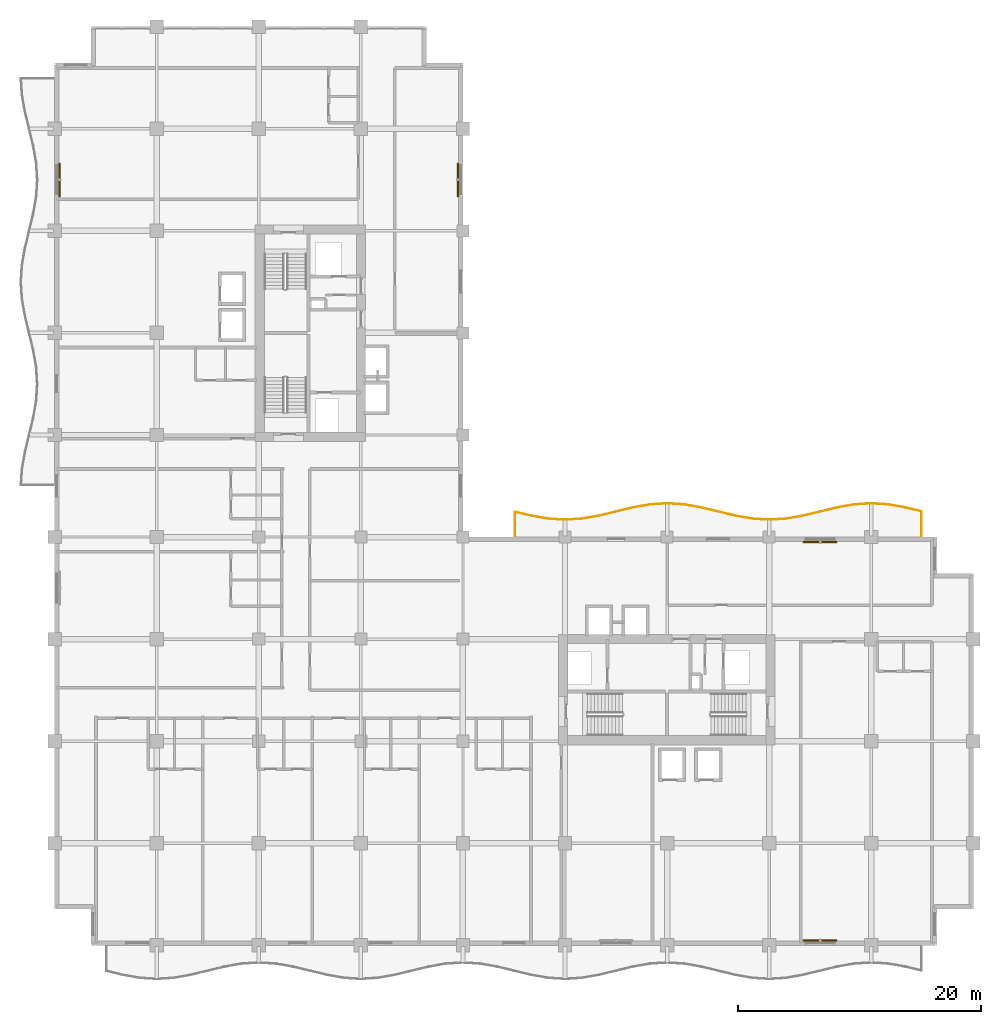
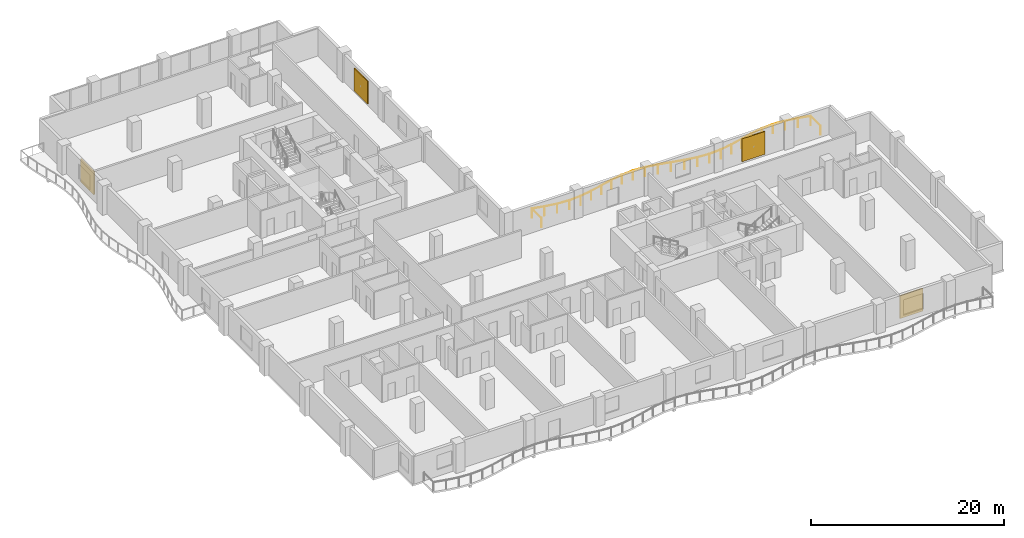
# One storey, part 20 of 20: 4 shading devices, 1 railing.
"""IFC4 building model written with IfcOpenShell, lengths in metres."""

from ifc_helpers import new_model, si_unit, direction, frame, origin, origin_2d, place, context, subcontext, project, spatial, rectangle, circle, extrude, material, layer, layer_set, type_object, element, save


model = new_model("IFC4")

# Units and contexts
model_context = context("Model", 3, precision=1e-05, world=origin(), true_north=direction((0.0, 1.0)))
body_context = subcontext(model_context, "Body", "Model", "MODEL_VIEW")
ifc_project = project(units=[si_unit("LENGTHUNIT", "METRE"), si_unit("AREAUNIT", "SQUARE_METRE"), si_unit("VOLUMEUNIT", "CUBIC_METRE"), si_unit("PLANEANGLEUNIT", "RADIAN"), si_unit("MASSUNIT", "GRAM", prefix="KILO")], contexts=[model_context])

# Site, building, storey
site_placement = place(None, origin())
site = spatial("IfcSite", under=ifc_project, at=site_placement, CompositionType="ELEMENT")
building_placement = place(site_placement, origin())
building = spatial("IfcBuilding", under=site, at=building_placement, Name="Koriwani Terraces Tower", CompositionType="ELEMENT")
storey_placement = place(building_placement, frame((0.0, 0.0, 175.39990234375)))
storey = spatial("IfcBuildingStorey", under=building, at=storey_placement, Name="L42", CompositionType="ELEMENT", Elevation=175.39990234375)

# Railing
ifc_material_1 = material(Name="Steel ASTM A572 Grade 50", Category="steel")
railing_type = type_object("IfcRailingType", Name="GUARD_BALUSTRADE_1150", PredefinedType="BALUSTRADE", material=ifc_material_1)
railing_placement = place(storey_placement, frame((71.320068359375, 33.679931640625, 0.0)))
element("IfcRailing", 1, at=railing_placement, inside=storey, type_object=railing_type, Name="L42 Balcony Perimeter Safety Balustrade (NE)", PredefinedType="BALUSTRADE", context=body_context, shape_type="SweptSolid", body=[
    extrude(circle(Radius=0.02392578125, at=origin_2d()), frame((0.0, 0.0, 1.1259765625), z_axis=(0.0, 1.0, 0.0), x_axis=(-1.0, 0.0, 0.0)), (0.0, 0.0, 1.0), 2.031982421875),
    extrude(circle(Radius=0.02392578125, at=origin_2d()), frame((0.0, 2.031982421875, 1.1259765625), z_axis=(-0.972135261578, 0.234420633044, 0.0), x_axis=(-0.234420633044, -0.972135261578, 0.0)), (0.0, 0.0, 1.0), 1.374755859375),
    extrude(circle(Radius=0.02392578125, at=origin_2d()), frame((-1.33642578125, 2.354248046875, 1.1259765625), z_axis=(-0.984787032938, 0.173765646078, 0.0), x_axis=(-0.173765646078, -0.984787032938, 0.0)), (0.0, 0.0, 1.0), 1.414794921875),
    extrude(circle(Radius=0.02392578125, at=origin_2d()), frame((-2.729736328125, 2.60009765625, 1.1259765625), z_axis=(-0.997918766852, 0.064483600738, 0.0), x_axis=(-0.064483600738, -0.997918766852, 0.0)), (0.0, 0.0, 1.0), 1.393310546875),
    extrude(circle(Radius=0.02392578125, at=origin_2d()), frame((-4.1201171875, 2.68994140625, 1.1259765625), z_axis=(-0.997918766852, -0.064483600738, 0.0), x_axis=(0.064483600738, -0.997918766852, 0.0)), (0.0, 0.0, 1.0), 1.393310546875),
    extrude(circle(Radius=0.02392578125, at=origin_2d()), frame((-5.510498046875, 2.60009765625, 1.1259765625), z_axis=(-0.984787032938, -0.173765646078, 0.0), x_axis=(0.173765646078, -0.984787032938, 0.0)), (0.0, 0.0, 1.0), 1.414794921875),
    extrude(circle(Radius=0.02392578125, at=origin_2d()), frame((-6.90380859375, 2.354248046875, 1.1259765625), z_axis=(-0.972147505112, -0.234369853661, 0.0), x_axis=(0.234369853661, -0.972147505112, 0.0)), (0.0, 0.0, 1.0), 2.88037109375),
    extrude(circle(Radius=0.02392578125, at=origin_2d()), frame((-9.703857421875, 1.67919921875, 1.1259765625), z_axis=(-0.984807637937, -0.173648830292, 0.0), x_axis=(0.173648830292, -0.984807637937, 0.0)), (0.0, 0.0, 1.0), 1.428466796875),
    extrude(circle(Radius=0.02392578125, at=origin_2d()), frame((-11.110595703125, 1.43115234375, 1.1259765625), z_axis=(-0.997930321615, -0.064304534842, 0.0), x_axis=(0.064304534842, -0.997930321615, 0.0)), (0.0, 0.0, 1.0), 1.412353515625),
    extrude(circle(Radius=0.02392578125, at=origin_2d()), frame((-12.52001953125, 1.34033203125, 1.1259765625), z_axis=(-0.997931036226, 0.064293443969, 0.0), x_axis=(-0.064293443969, -0.997931036226, 0.0)), (0.0, 0.0, 1.0), 1.41259765625),
    extrude(circle(Radius=0.02392578125, at=origin_2d()), frame((-13.9296875, 1.43115234375, 1.1259765625), z_axis=(-0.984807637937, 0.173648830292, 0.0), x_axis=(-0.173648830292, -0.984807637937, 0.0)), (0.0, 0.0, 1.0), 1.428466796875),
    extrude(circle(Radius=0.02392578125, at=origin_2d()), frame((-15.33642578125, 1.67919921875, 1.1259765625), z_axis=(-0.972147505112, 0.234369853661, 0.0), x_axis=(-0.234369853661, -0.972147505112, 0.0)), (0.0, 0.0, 1.0), 2.88037109375),
    extrude(circle(Radius=0.02392578125, at=origin_2d()), frame((-18.136474609375, 2.354248046875, 1.1259765625), z_axis=(-0.984787032938, 0.173765646078, 0.0), x_axis=(-0.173765646078, -0.984787032938, 0.0)), (0.0, 0.0, 1.0), 1.414794921875),
    extrude(circle(Radius=0.02392578125, at=origin_2d()), frame((-19.52978515625, 2.60009765625, 1.1259765625), z_axis=(-0.997918766852, 0.064483600738, 0.0), x_axis=(-0.064483600738, -0.997918766852, 0.0)), (0.0, 0.0, 1.0), 1.393310546875),
    extrude(circle(Radius=0.02392578125, at=origin_2d()), frame((-20.920166015625, 2.68994140625, 1.1259765625), z_axis=(-0.997918766852, -0.064483600738, 0.0), x_axis=(0.064483600738, -0.997918766852, 0.0)), (0.0, 0.0, 1.0), 1.393310546875),
    extrude(circle(Radius=0.02392578125, at=origin_2d()), frame((-22.310546875, 2.60009765625, 1.1259765625), z_axis=(-0.984787032938, -0.173765646078, 0.0), x_axis=(0.173765646078, -0.984787032938, 0.0)), (0.0, 0.0, 1.0), 1.414794921875),
    extrude(circle(Radius=0.02392578125, at=origin_2d()), frame((-23.703857421875, 2.354248046875, 1.1259765625), z_axis=(-0.972142848567, -0.234389167796, 0.0), x_axis=(0.234389167796, -0.972142848567, 0.0)), (0.0, 0.0, 1.0), 2.880126953125),
    extrude(circle(Radius=0.02392578125, at=origin_2d()), frame((-26.503662109375, 1.67919921875, 1.1259765625), z_axis=(-0.984812790368, -0.173619606978, 0.0), x_axis=(0.173619606978, -0.984812790368, 0.0)), (0.0, 0.0, 1.0), 1.4287109375),
    extrude(circle(Radius=0.02392578125, at=origin_2d()), frame((-27.91064453125, 1.43115234375, 1.1259765625), z_axis=(-0.997930321615, -0.064304534842, 0.0), x_axis=(0.064304534842, -0.997930321615, 0.0)), (0.0, 0.0, 1.0), 1.412353515625),
    extrude(circle(Radius=0.02392578125, at=origin_2d()), frame((-29.320068359375, 1.34033203125, 1.1259765625), z_axis=(-0.997930321615, 0.064304534842, 0.0), x_axis=(-0.064304534842, -0.997930321615, 0.0)), (0.0, 0.0, 1.0), 1.412353515625),
    extrude(circle(Radius=0.02392578125, at=origin_2d()), frame((-30.7294921875, 1.43115234375, 1.1259765625), z_axis=(-0.984812790368, 0.173619606978, 0.0), x_axis=(-0.173619606978, -0.984812790368, 0.0)), (0.0, 0.0, 1.0), 1.4287109375),
    extrude(circle(Radius=0.02392578125, at=origin_2d()), frame((-32.136474609375, 1.67919921875, 1.1259765625), z_axis=(-0.972163766848, 0.234302390999, 0.0), x_axis=(-0.234302390999, -0.972163766848, 0.0)), (0.0, 0.0, 1.0), 1.341064453125),
    extrude(circle(Radius=0.02392578125, at=origin_2d()), frame((-33.440185546875, 1.993408203125, 1.1259765625), z_axis=(0.0, -1.0, 0.0), x_axis=(1.0, 0.0, 0.0)), (0.0, 0.0, 1.0), 1.993408203125),
    extrude(circle(Radius=0.02099609375, at=origin_2d()), origin(), (0.0, 0.0, 1.0), 1.101806640625),
    extrude(circle(Radius=0.02099609375, at=origin_2d()), frame((0.0, 2.031982421875, 0.0)), (0.0, 0.0, 1.0), 1.101806640625),
    extrude(circle(Radius=0.02099609375, at=origin_2d()), frame((-1.33642578125, 2.354248046875, 0.0)), (0.0, 0.0, 1.0), 1.101806640625),
    extrude(circle(Radius=0.02099609375, at=origin_2d()), frame((-2.729736328125, 2.60009765625, 0.0)), (0.0, 0.0, 1.0), 1.101806640625),
    extrude(circle(Radius=0.02099609375, at=origin_2d()), frame((-4.1201171875, 2.68994140625, 0.0)), (0.0, 0.0, 1.0), 1.101806640625),
    extrude(circle(Radius=0.02099609375, at=origin_2d()), frame((-5.510498046875, 2.60009765625, 0.0)), (0.0, 0.0, 1.0), 1.101806640625),
    extrude(circle(Radius=0.02099609375, at=origin_2d()), frame((-6.90380859375, 2.354248046875, 0.0)), (0.0, 0.0, 1.0), 1.101806640625),
    extrude(circle(Radius=0.02099609375, at=origin_2d()), frame((-8.3037109375, 2.0166015625, 0.0)), (0.0, 0.0, 1.0), 1.101806640625),
    extrude(circle(Radius=0.02099609375, at=origin_2d()), frame((-9.703857421875, 1.67919921875, 0.0)), (0.0, 0.0, 1.0), 1.101806640625),
    extrude(circle(Radius=0.02099609375, at=origin_2d()), frame((-11.110595703125, 1.43115234375, 0.0)), (0.0, 0.0, 1.0), 1.101806640625),
    extrude(circle(Radius=0.02099609375, at=origin_2d()), frame((-12.52001953125, 1.34033203125, 0.0)), (0.0, 0.0, 1.0), 1.101806640625),
    extrude(circle(Radius=0.02099609375, at=origin_2d()), frame((-13.9296875, 1.43115234375, 0.0)), (0.0, 0.0, 1.0), 1.101806640625),
    extrude(circle(Radius=0.02099609375, at=origin_2d()), frame((-15.33642578125, 1.67919921875, 0.0)), (0.0, 0.0, 1.0), 1.101806640625),
    extrude(circle(Radius=0.02099609375, at=origin_2d()), frame((-16.736328125, 2.0166015625, 0.0)), (0.0, 0.0, 1.0), 1.101806640625),
    extrude(circle(Radius=0.02099609375, at=origin_2d()), frame((-18.136474609375, 2.354248046875, 0.0)), (0.0, 0.0, 1.0), 1.101806640625),
    extrude(circle(Radius=0.02099609375, at=origin_2d()), frame((-19.52978515625, 2.60009765625, 0.0)), (0.0, 0.0, 1.0), 1.101806640625),
    extrude(circle(Radius=0.02099609375, at=origin_2d()), frame((-20.920166015625, 2.68994140625, 0.0)), (0.0, 0.0, 1.0), 1.101806640625),
    extrude(circle(Radius=0.02099609375, at=origin_2d()), frame((-22.310546875, 2.60009765625, 0.0)), (0.0, 0.0, 1.0), 1.101806640625),
    extrude(circle(Radius=0.02099609375, at=origin_2d()), frame((-23.703857421875, 2.354248046875, 0.0)), (0.0, 0.0, 1.0), 1.101806640625),
    extrude(circle(Radius=0.02099609375, at=origin_2d()), frame((-25.103759765625, 2.0166015625, 0.0)), (0.0, 0.0, 1.0), 1.101806640625),
    extrude(circle(Radius=0.02099609375, at=origin_2d()), frame((-26.503662109375, 1.67919921875, 0.0)), (0.0, 0.0, 1.0), 1.101806640625),
    extrude(circle(Radius=0.02099609375, at=origin_2d()), frame((-27.91064453125, 1.43115234375, 0.0)), (0.0, 0.0, 1.0), 1.101806640625),
    extrude(circle(Radius=0.02099609375, at=origin_2d()), frame((-29.320068359375, 1.34033203125, 0.0)), (0.0, 0.0, 1.0), 1.101806640625),
    extrude(circle(Radius=0.02099609375, at=origin_2d()), frame((-30.7294921875, 1.43115234375, 0.0)), (0.0, 0.0, 1.0), 1.101806640625),
    extrude(circle(Radius=0.02099609375, at=origin_2d()), frame((-32.136474609375, 1.67919921875, 0.0)), (0.0, 0.0, 1.0), 1.101806640625),
    extrude(circle(Radius=0.02099609375, at=origin_2d()), frame((-33.440185546875, 1.993408203125, 0.0)), (0.0, 0.0, 1.0), 1.101806640625),
    extrude(circle(Radius=0.02099609375, at=origin_2d()), frame((-33.440185546875, 0.0, 0.0)), (0.0, 0.0, 1.0), 1.101806640625),
])

# Shading devices
ifc_material_2 = material(Name="Extruded Terracotta Clay", Category="masonry")
ifc_layer = layer(ifc_material_2, 0.1201171875, Name="Extruded Terracotta Clay")
ifc_layer_set = layer_set([ifc_layer], Name="Extruded Terracotta Clay")
shading_device_type = type_object("IfcShadingDeviceType", Name="TERRACOTTA_BAGUETTE_SCREEN_2800", PredefinedType="USERDEFINED", material=ifc_layer_set)
for number, where, z_axis, x_axis, name in (
    (2, (0.405029296875, 63.0, 0.28515625), (0.0, 0.0, 1.0), (0.0, 1.0, 0.0), "L42 Extruded Terracotta Baguette Screen (W-21)"),
    (3, (33.195068359375, 63.0, 0.28515625), (0.0, 0.0, 1.0), (0.0, -1.0, 0.0), "L42 Extruded Terracotta Baguette Screen (NW_IN-11)"),
    (4, (63.0, 33.195068359375, 0.28515625), (0.0, 0.0, 1.0), (1.0, 0.0, 0.0), "L42 Extruded Terracotta Baguette Screen (NE-11)"),
    (5, (63.0, 0.405029296875, 0.28515625), (0.0, 0.0, 1.0), (-1.0, 0.0, 0.0), "L42 Extruded Terracotta Baguette Screen (S-21)"),
):
    element("IfcShadingDevice", number, at=place(storey_placement, frame(where, z_axis=z_axis, x_axis=x_axis)), inside=storey, type_object=shading_device_type, Name=name, ObjectType="BAGUETTE", PredefinedType="USERDEFINED", context=body_context, shape_type="SweptSolid", body=[
        extrude(rectangle(XDim=2.760009765625, YDim=0.1201171875, at=origin_2d()), origin(), (0.0, 0.0, 1.0), 2.89990234375),
    ])

save(model, "model.ifc")
